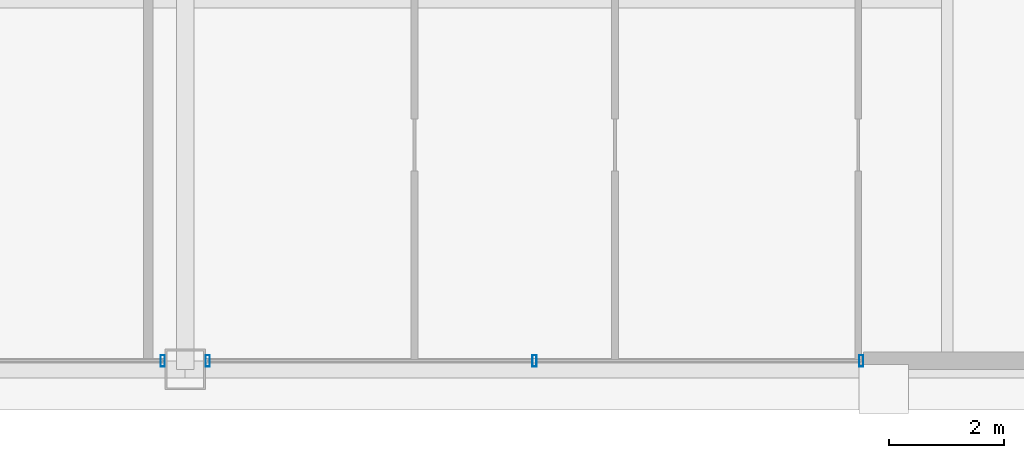
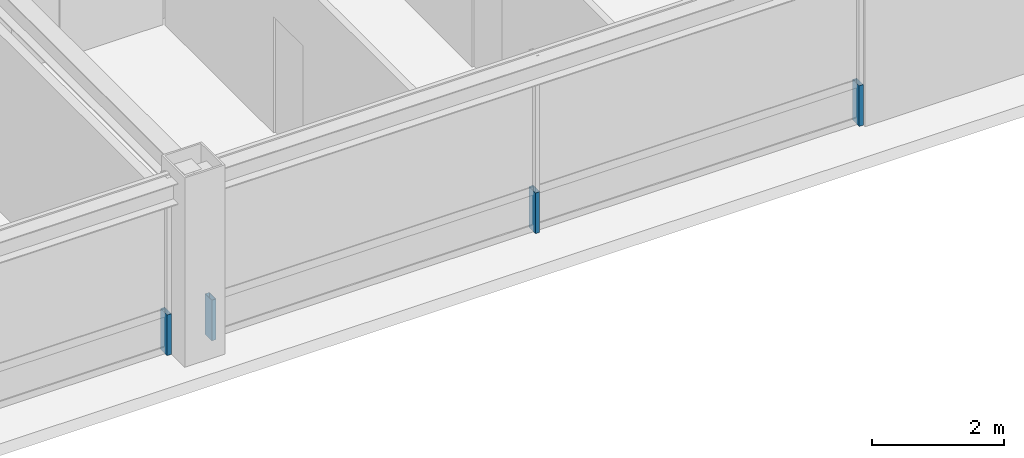
# One storey, part 23 of 35: 4 members, 2 elements without a shape of their own.
"""IFC4 building model written with IfcOpenShell, lengths in metres."""

from ifc_helpers import new_model, si_unit, direction, frame, origin, origin_2d, place, context, subcontext, project, spatial, hollow_rectangle, extrude, source, transform, mapped, material, layer, layer_set, material_profile, profile_set, type_object, element, aggregate, save


model = new_model("IFC4")

# Units and contexts
model_context = context("Model", 3, precision=1e-05, world=origin(), true_north=direction((0.0, 1.0)))
body_context = subcontext(model_context, "Body", "Model", "MODEL_VIEW")
ifc_project = project(units=[si_unit("LENGTHUNIT", "METRE"), si_unit("AREAUNIT", "SQUARE_METRE"), si_unit("VOLUMEUNIT", "CUBIC_METRE"), si_unit("PLANEANGLEUNIT", "RADIAN"), si_unit("MASSUNIT", "GRAM", prefix="KILO"), si_unit("THERMODYNAMICTEMPERATUREUNIT", "KELVIN"), si_unit("POWERUNIT", "WATT")], contexts=[model_context])

# Site, building, storey
site_placement = place(None, origin())
site = spatial("IfcSite", under=ifc_project, at=site_placement, CompositionType="ELEMENT")
building_placement = place(site_placement, origin())
building = spatial("IfcBuilding", under=site, at=building_placement, Name="Yuzanri Waterfront Tower", CompositionType="ELEMENT")
storey_placement = place(building_placement, frame((0.0, 0.0, 296.10009765625)))
storey = spatial("IfcBuildingStorey", under=building, at=storey_placement, Name="L79", CompositionType="ELEMENT", Elevation=296.10009765625)

# Curtain wall, member
ifc_material_1 = material(Name="Anodized Architectural Bronze", Category="metal")
ifc_layer = layer(ifc_material_1, 0.159912109375)
ifc_layer_set = layer_set([ifc_layer], Name="Anodized Architectural Bronze")
curtain_wall_type = type_object("IfcCurtainWallType", Name="Anodized Bronze High-Rise Penthouse High-Wind Unitized Curtain Wall 6900", PredefinedType="NOTDEFINED", material=ifc_layer_set)
curtain_wall_1_placement = place(storey_placement, origin())
curtain_wall_1 = element("IfcCurtainWall", 1, at=curtain_wall_1_placement, inside=storey, type_object=curtain_wall_type, Name="L79 Curtain Wall CW-L79-SL", PredefinedType="NOTDEFINED")
ifc_material_2 = material(Name="Anodized Architectural Bronze", Category="metal")
ifc_material_profile = material_profile(ifc_material_2, hollow_rectangle(XDim=0.074951171875, YDim=0.199951171875, WallThickness=0.00390625, at=origin_2d()), Name="CWM 75x200")
ifc_profile_set = profile_set([ifc_material_profile], Name="Anodized Architectural Bronze")
member_type = type_object("IfcMemberType", Name="Anodized Bronze Primary Curtain-Wall Mullion 75x200", PredefinedType="MULLION", material=ifc_profile_set)
shared_shape = source(origin(), body_context, "Body", "SweptSolid", [
    extrude(hollow_rectangle(XDim=0.074951171875, YDim=0.199951171875, WallThickness=0.00390625, at=origin_2d()), origin(), (0.0, 0.0, 1.0), 0.751953125),
])
member_1_placement = place(storey_placement, frame((36.610107421875, 6.85009765625, 0.0), z_axis=(0.0, 0.0, 1.0), x_axis=(1.0, 0.0, 0.0)))
member_1 = element("IfcMember", 2, at=member_1_placement, type_object=member_type, Name="CW-L79-SL Lower Mullion 02", PredefinedType="MULLION", context=body_context, shape_type="MappedRepresentation", body=[
    mapped(shared_shape, transform((0.0, 0.0, 0.0), scale=1.0)),
])
aggregate(curtain_wall_1, [member_1])

# Curtain wall, members
curtain_wall_2_placement = place(storey_placement, origin())
curtain_wall_2 = element("IfcCurtainWall", 3, at=curtain_wall_2_placement, inside=storey, type_object=curtain_wall_type, Name="L79 Curtain Wall CW-L79-SR", PredefinedType="NOTDEFINED")
member_2_placement = place(storey_placement, frame((37.389892578125, 6.85009765625, 0.0), z_axis=(0.0, 0.0, 1.0), x_axis=(1.0, 0.0, 0.0)))
member_2 = element("IfcMember", 4, at=member_2_placement, type_object=member_type, Name="CW-L79-SR Lower Mullion 00", PredefinedType="MULLION", context=body_context, shape_type="MappedRepresentation", body=[
    mapped(shared_shape, transform((0.0, 0.0, 0.0), scale=1.0)),
])
member_3_placement = place(storey_placement, frame((43.050048828125, 6.85009765625, 0.0), z_axis=(0.0, 0.0, 1.0), x_axis=(1.0, 0.0, 0.0)))
member_3 = element("IfcMember", 5, at=member_3_placement, type_object=member_type, Name="CW-L79-SR Lower Mullion 01", PredefinedType="MULLION", context=body_context, shape_type="MappedRepresentation", body=[
    mapped(shared_shape, transform((0.0, 0.0, 0.0), scale=1.0)),
])
member_4_placement = place(storey_placement, frame((48.7099609375, 6.85009765625, 0.0), z_axis=(0.0, 0.0, 1.0), x_axis=(1.0, 0.0, 0.0)))
member_4 = element("IfcMember", 6, at=member_4_placement, type_object=member_type, Name="CW-L79-SR Lower Mullion 02", PredefinedType="MULLION", context=body_context, shape_type="MappedRepresentation", body=[
    mapped(shared_shape, transform((0.0, 0.0, 0.0), scale=1.0)),
])
aggregate(curtain_wall_2, [member_2, member_3, member_4])

save(model, "model.ifc")
